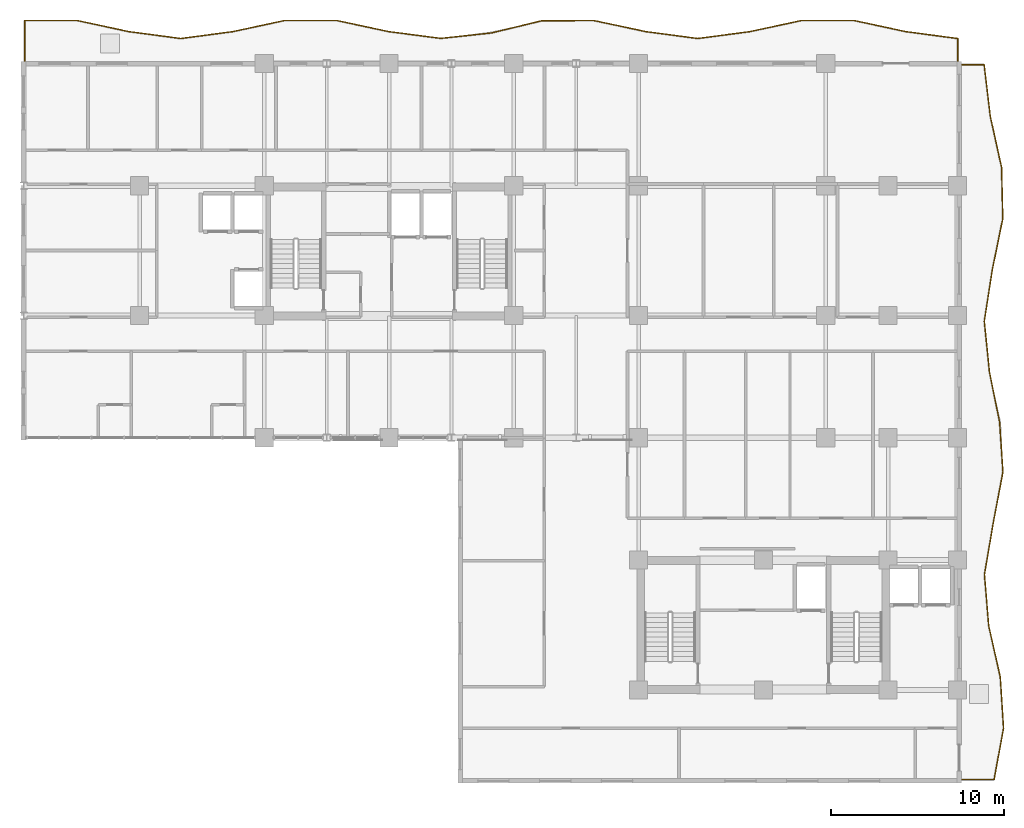
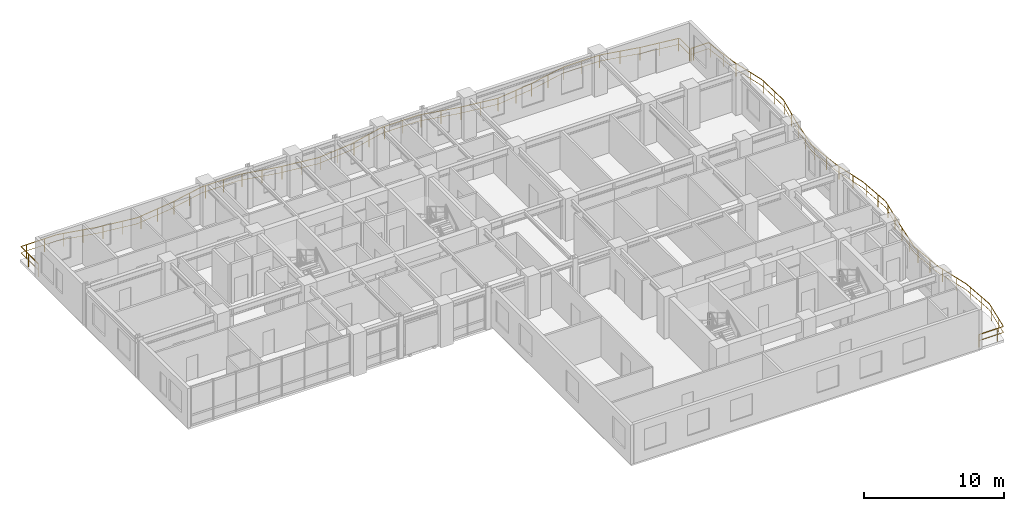
# One storey, part 17 of 17: 2 railings.
"""IFC4 building model written with IfcOpenShell, lengths in metres."""

from ifc_helpers import new_model, si_unit, direction, frame, origin, origin_2d, place, context, subcontext, project, spatial, rectangle, extrude, material, type_object, element, save


model = new_model("IFC4")

# Units and contexts
model_context = context("Model", 3, precision=1e-05, world=origin(), true_north=direction((0.0, 1.0)))
body_context = subcontext(model_context, "Body", "Model", "MODEL_VIEW")
ifc_project = project(units=[si_unit("LENGTHUNIT", "METRE"), si_unit("AREAUNIT", "SQUARE_METRE"), si_unit("VOLUMEUNIT", "CUBIC_METRE"), si_unit("PLANEANGLEUNIT", "RADIAN"), si_unit("MASSUNIT", "GRAM", prefix="KILO")], contexts=[model_context])

# Site, building, storey
site_placement = place(None, origin())
site = spatial("IfcSite", under=ifc_project, at=site_placement, CompositionType="ELEMENT")
building_placement = place(site_placement, origin())
building = spatial("IfcBuilding", under=site, at=building_placement, Name="Kaliganga Portal Commons", CompositionType="ELEMENT")
storey_placement = place(building_placement, frame((0.0, 0.0, 143.89990234375)))
storey = spatial("IfcBuildingStorey", under=building, at=storey_placement, Name="L36", CompositionType="ELEMENT", Elevation=143.89990234375)

# Railings
ifc_material = material(Name="Laminated Safety Glass and Stainless Steel 316", Category="steel")
railing_type = type_object("IfcRailingType", Name="RLG-BAL-1150", PredefinedType="BALUSTRADE", material=ifc_material)
railing_1_placement = place(storey_placement, frame((54.420166015625, 43.205322265625, 0.0)))
element("IfcRailing", 1, at=railing_1_placement, inside=storey, type_object=railing_type, Name="Balcony Guardrail L36 balc_north", PredefinedType="BALUSTRADE", context=body_context, shape_type="SweptSolid", body=[
    extrude(rectangle(XDim=0.048095703125, YDim=0.048095703125, at=origin_2d()), frame((0.0, 0.0, 1.1259765625), z_axis=(-0.000169692853, 0.999999985602, 0.0), x_axis=(-0.999999985602, -0.000169692853, 0.0)), (0.0, 0.0, 1.0), 1.438720703125),
    extrude(rectangle(XDim=0.028076171875, YDim=0.028076171875, at=origin_2d()), frame((0.0, 0.0, 0.597900390625), z_axis=(-0.000169692853, 0.999999985602, 0.0), x_axis=(-0.999999985602, -0.000169692853, 0.0)), (0.0, 0.0, 1.0), 1.438720703125),
    extrude(rectangle(XDim=0.048095703125, YDim=0.048095703125, at=origin_2d()), frame((-0.000244140625, 1.438720703125, 1.1259765625), z_axis=(-0.99128487682, 0.131735693672, 0.0), x_axis=(-0.131735693672, -0.99128487682, 0.0)), (0.0, 0.0, 1.0), 3.0263671875),
    extrude(rectangle(XDim=0.028076171875, YDim=0.028076171875, at=origin_2d()), frame((-0.000244140625, 1.438720703125, 0.597900390625), z_axis=(-0.99128487682, 0.131735693672, 0.0), x_axis=(-0.131735693672, -0.99128487682, 0.0)), (0.0, 0.0, 1.0), 3.0263671875),
    extrude(rectangle(XDim=0.048095703125, YDim=0.048095703125, at=origin_2d()), frame((-3.000244140625, 1.83740234375, 1.1259765625), z_axis=(-0.977706833375, 0.209974636497, 0.0), x_axis=(-0.209974636497, -0.977706833375, 0.0)), (0.0, 0.0, 1.0), 3.068359375),
    extrude(rectangle(XDim=0.028076171875, YDim=0.028076171875, at=origin_2d()), frame((-3.000244140625, 1.83740234375, 0.597900390625), z_axis=(-0.977706833375, 0.209974636497, 0.0), x_axis=(-0.209974636497, -0.977706833375, 0.0)), (0.0, 0.0, 1.0), 3.068359375),
    extrude(rectangle(XDim=0.048095703125, YDim=0.048095703125, at=origin_2d()), frame((-6.000244140625, 2.481689453125, 1.1259765625), z_axis=(-0.999999986752, -0.000162773661, 0.0), x_axis=(0.000162773661, -0.999999986752, 0.0)), (0.0, 0.0, 1.0), 2.999755859375),
    extrude(rectangle(XDim=0.028076171875, YDim=0.028076171875, at=origin_2d()), frame((-6.000244140625, 2.481689453125, 0.597900390625), z_axis=(-0.999999986752, -0.000162773661, 0.0), x_axis=(0.000162773661, -0.999999986752, 0.0)), (0.0, 0.0, 1.0), 2.999755859375),
    extrude(rectangle(XDim=0.048095703125, YDim=0.048095703125, at=origin_2d()), frame((-9.0, 2.481201171875, 1.1259765625), z_axis=(-0.977742994053, -0.209806190521, 0.0), x_axis=(0.209806190521, -0.977742994053, 0.0)), (0.0, 0.0, 1.0), 3.068603515625),
    extrude(rectangle(XDim=0.028076171875, YDim=0.028076171875, at=origin_2d()), frame((-9.0, 2.481201171875, 0.597900390625), z_axis=(-0.977742994053, -0.209806190521, 0.0), x_axis=(0.209806190521, -0.977742994053, 0.0)), (0.0, 0.0, 1.0), 3.068603515625),
    extrude(rectangle(XDim=0.048095703125, YDim=0.048095703125, at=origin_2d()), frame((-12.000244140625, 1.83740234375, 1.1259765625), z_axis=(-0.991347974495, -0.131260022339, 0.0), x_axis=(0.131260022339, -0.991347974495, 0.0)), (0.0, 0.0, 1.0), 3.026123046875),
    extrude(rectangle(XDim=0.028076171875, YDim=0.028076171875, at=origin_2d()), frame((-12.000244140625, 1.83740234375, 0.597900390625), z_axis=(-0.991347974495, -0.131260022339, 0.0), x_axis=(0.131260022339, -0.991347974495, 0.0)), (0.0, 0.0, 1.0), 3.026123046875),
    extrude(rectangle(XDim=0.048095703125, YDim=0.048095703125, at=origin_2d()), frame((-15.000244140625, 1.440185546875, 1.1259765625), z_axis=(-0.991347974495, 0.131260022339, 0.0), x_axis=(-0.131260022339, -0.991347974495, 0.0)), (0.0, 0.0, 1.0), 3.026123046875),
    extrude(rectangle(XDim=0.028076171875, YDim=0.028076171875, at=origin_2d()), frame((-15.000244140625, 1.440185546875, 0.597900390625), z_axis=(-0.991347974495, 0.131260022339, 0.0), x_axis=(-0.131260022339, -0.991347974495, 0.0)), (0.0, 0.0, 1.0), 3.026123046875),
    extrude(rectangle(XDim=0.048095703125, YDim=0.048095703125, at=origin_2d()), frame((-18.000244140625, 1.83740234375, 1.1259765625), z_axis=(-0.978106618555, 0.208104403459, 0.0), x_axis=(-0.208104403459, -0.978106618555, 0.0)), (0.0, 0.0, 1.0), 3.066650390625),
    extrude(rectangle(XDim=0.028076171875, YDim=0.028076171875, at=origin_2d()), frame((-18.000244140625, 1.83740234375, 0.597900390625), z_axis=(-0.978106618555, 0.208104403459, 0.0), x_axis=(-0.208104403459, -0.978106618555, 0.0)), (0.0, 0.0, 1.0), 3.066650390625),
    extrude(rectangle(XDim=0.048095703125, YDim=0.048095703125, at=origin_2d()), frame((-20.999755859375, 2.4755859375, 1.1259765625), z_axis=(-0.999996168338, -0.002768268175, 0.0), x_axis=(0.002768268175, -0.999996168338, 0.0)), (0.0, 0.0, 1.0), 2.99853515625),
    extrude(rectangle(XDim=0.028076171875, YDim=0.028076171875, at=origin_2d()), frame((-20.999755859375, 2.4755859375, 0.597900390625), z_axis=(-0.999996168338, -0.002768268175, 0.0), x_axis=(0.002768268175, -0.999996168338, 0.0)), (0.0, 0.0, 1.0), 2.99853515625),
    extrude(rectangle(XDim=0.048095703125, YDim=0.048095703125, at=origin_2d()), frame((-23.998291015625, 2.46728515625, 1.1259765625), z_axis=(-0.971726032894, -0.236111238608, 0.0), x_axis=(0.236111238608, -0.971726032894, 0.0)), (0.0, 0.0, 1.0), 3.0068359375),
    extrude(rectangle(XDim=0.028076171875, YDim=0.028076171875, at=origin_2d()), frame((-23.998291015625, 2.46728515625, 0.597900390625), z_axis=(-0.971726032894, -0.236111238608, 0.0), x_axis=(0.236111238608, -0.971726032894, 0.0)), (0.0, 0.0, 1.0), 3.0068359375),
    extrude(rectangle(XDim=0.048095703125, YDim=0.048095703125, at=origin_2d()), frame((-26.920166015625, 1.75732421875, 1.1259765625), z_axis=(-0.994438293084, -0.105320849063, 0.0), x_axis=(0.105320849063, -0.994438293084, 0.0)), (0.0, 0.0, 1.0), 2.93701171875),
    extrude(rectangle(XDim=0.028076171875, YDim=0.028076171875, at=origin_2d()), frame((-26.920166015625, 1.75732421875, 0.597900390625), z_axis=(-0.994438293084, -0.105320849063, 0.0), x_axis=(0.105320849063, -0.994438293084, 0.0)), (0.0, 0.0, 1.0), 2.93701171875),
    extrude(rectangle(XDim=0.048095703125, YDim=0.048095703125, at=origin_2d()), frame((-29.8408203125, 1.447998046875, 1.1259765625), z_axis=(-0.991687062692, 0.128673111757, 0.0), x_axis=(-0.128673111757, -0.991687062692, 0.0)), (0.0, 0.0, 1.0), 3.0244140625),
    extrude(rectangle(XDim=0.028076171875, YDim=0.028076171875, at=origin_2d()), frame((-29.8408203125, 1.447998046875, 0.597900390625), z_axis=(-0.991687062692, 0.128673111757, 0.0), x_axis=(-0.128673111757, -0.991687062692, 0.0)), (0.0, 0.0, 1.0), 3.0244140625),
    extrude(rectangle(XDim=0.048095703125, YDim=0.048095703125, at=origin_2d()), frame((-32.840087890625, 1.837158203125, 1.1259765625), z_axis=(-0.977922201683, 0.208969297878, 0.0), x_axis=(-0.208969297878, -0.977922201683, 0.0)), (0.0, 0.0, 1.0), 3.06787109375),
    extrude(rectangle(XDim=0.028076171875, YDim=0.028076171875, at=origin_2d()), frame((-32.840087890625, 1.837158203125, 0.597900390625), z_axis=(-0.977922201683, 0.208969297878, 0.0), x_axis=(-0.208969297878, -0.977922201683, 0.0)), (0.0, 0.0, 1.0), 3.06787109375),
    extrude(rectangle(XDim=0.048095703125, YDim=0.048095703125, at=origin_2d()), frame((-35.84033203125, 2.478271484375, 1.1259765625), z_axis=(-0.999999837743, 0.000569661366, 0.0), x_axis=(-0.000569661366, -0.999999837743, 0.0)), (0.0, 0.0, 1.0), 3.0),
    extrude(rectangle(XDim=0.028076171875, YDim=0.028076171875, at=origin_2d()), frame((-35.84033203125, 2.478271484375, 0.597900390625), z_axis=(-0.999999837743, 0.000569661366, 0.0), x_axis=(-0.000569661366, -0.999999837743, 0.0)), (0.0, 0.0, 1.0), 3.0),
    extrude(rectangle(XDim=0.048095703125, YDim=0.048095703125, at=origin_2d()), frame((-38.84033203125, 2.47998046875, 1.1259765625), z_axis=(-0.977817551415, -0.209458435364, 0.0), x_axis=(0.209458435364, -0.977817551415, 0.0)), (0.0, 0.0, 1.0), 3.06787109375),
    extrude(rectangle(XDim=0.028076171875, YDim=0.028076171875, at=origin_2d()), frame((-38.84033203125, 2.47998046875, 0.597900390625), z_axis=(-0.977817551415, -0.209458435364, 0.0), x_axis=(0.209458435364, -0.977817551415, 0.0)), (0.0, 0.0, 1.0), 3.06787109375),
    extrude(rectangle(XDim=0.048095703125, YDim=0.048095703125, at=origin_2d()), frame((-41.840087890625, 1.83740234375, 1.1259765625), z_axis=(-0.991316453184, -0.13149786936, 0.0), x_axis=(0.13149786936, -0.991316453184, 0.0)), (0.0, 0.0, 1.0), 3.0263671875),
    extrude(rectangle(XDim=0.028076171875, YDim=0.028076171875, at=origin_2d()), frame((-41.840087890625, 1.83740234375, 0.597900390625), z_axis=(-0.991316453184, -0.13149786936, 0.0), x_axis=(0.13149786936, -0.991316453184, 0.0)), (0.0, 0.0, 1.0), 3.0263671875),
    extrude(rectangle(XDim=0.048095703125, YDim=0.048095703125, at=origin_2d()), frame((-44.840087890625, 1.439453125, 1.1259765625), z_axis=(-0.991316453184, 0.13149786936, 0.0), x_axis=(-0.13149786936, -0.991316453184, 0.0)), (0.0, 0.0, 1.0), 3.0263671875),
    extrude(rectangle(XDim=0.028076171875, YDim=0.028076171875, at=origin_2d()), frame((-44.840087890625, 1.439453125, 0.597900390625), z_axis=(-0.991316453184, 0.13149786936, 0.0), x_axis=(-0.13149786936, -0.991316453184, 0.0)), (0.0, 0.0, 1.0), 3.0263671875),
    extrude(rectangle(XDim=0.048095703125, YDim=0.048095703125, at=origin_2d()), frame((-47.840087890625, 1.83740234375, 1.1259765625), z_axis=(-0.977690496299, 0.210050692564, 0.0), x_axis=(-0.210050692564, -0.977690496299, 0.0)), (0.0, 0.0, 1.0), 3.068359375),
    extrude(rectangle(XDim=0.028076171875, YDim=0.028076171875, at=origin_2d()), frame((-47.840087890625, 1.83740234375, 0.597900390625), z_axis=(-0.977690496299, 0.210050692564, 0.0), x_axis=(-0.210050692564, -0.977690496299, 0.0)), (0.0, 0.0, 1.0), 3.068359375),
    extrude(rectangle(XDim=0.048095703125, YDim=0.048095703125, at=origin_2d()), frame((-50.840087890625, 2.48193359375, 1.1259765625), z_axis=(-0.999999996689, 8.1380208e-05, 0.0), x_axis=(-8.1380208e-05, -0.999999996689, 0.0)), (0.0, 0.0, 1.0), 3.0),
    extrude(rectangle(XDim=0.028076171875, YDim=0.028076171875, at=origin_2d()), frame((-50.840087890625, 2.48193359375, 0.597900390625), z_axis=(-0.999999996689, 8.1380208e-05, 0.0), x_axis=(-8.1380208e-05, -0.999999996689, 0.0)), (0.0, 0.0, 1.0), 3.0),
    extrude(rectangle(XDim=0.048095703125, YDim=0.048095703125, at=origin_2d()), frame((-53.840087890625, 2.482177734375, 1.1259765625), z_axis=(-9.835743e-05, -0.999999995163, 0.0), x_axis=(0.999999995163, -9.835743e-05, 0.0)), (0.0, 0.0, 1.0), 2.482177734375),
    extrude(rectangle(XDim=0.028076171875, YDim=0.028076171875, at=origin_2d()), frame((-53.840087890625, 2.482177734375, 0.597900390625), z_axis=(-9.835743e-05, -0.999999995163, 0.0), x_axis=(0.999999995163, -9.835743e-05, 0.0)), (0.0, 0.0, 1.0), 2.482177734375),
    extrude(rectangle(XDim=0.0419921875, YDim=0.0419921875, at=origin_2d()), origin(), (0.0, 0.0, 1.0), 1.101806640625),
    extrude(rectangle(XDim=0.0419921875, YDim=0.0419921875, at=origin_2d()), frame((-0.06103515625, 1.44677734375, 0.0)), (0.0, 0.0, 1.0), 1.101806640625),
    extrude(rectangle(XDim=0.0419921875, YDim=0.0419921875, at=origin_2d()), frame((-1.5478515625, 1.644287109375, 0.0)), (0.0, 0.0, 1.0), 1.101806640625),
    extrude(rectangle(XDim=0.0419921875, YDim=0.0419921875, at=origin_2d()), frame((-3.034423828125, 1.8447265625, 0.0)), (0.0, 0.0, 1.0), 1.101806640625),
    extrude(rectangle(XDim=0.0419921875, YDim=0.0419921875, at=origin_2d()), frame((-4.5009765625, 2.15966796875, 0.0)), (0.0, 0.0, 1.0), 1.101806640625),
    extrude(rectangle(XDim=0.0419921875, YDim=0.0419921875, at=origin_2d()), frame((-6.000244140625, 2.481689453125, 0.0)), (0.0, 0.0, 1.0), 1.101806640625),
    extrude(rectangle(XDim=0.0419921875, YDim=0.0419921875, at=origin_2d()), frame((-7.466796875, 2.4814453125, 0.0)), (0.0, 0.0, 1.0), 1.101806640625),
    extrude(rectangle(XDim=0.0419921875, YDim=0.0419921875, at=origin_2d()), frame((-9.0, 2.481201171875, 0.0)), (0.0, 0.0, 1.0), 1.101806640625),
    extrude(rectangle(XDim=0.0419921875, YDim=0.0419921875, at=origin_2d()), frame((-10.43408203125, 2.173583984375, 0.0)), (0.0, 0.0, 1.0), 1.101806640625),
    extrude(rectangle(XDim=0.0419921875, YDim=0.0419921875, at=origin_2d()), frame((-12.000244140625, 1.83740234375, 0.0)), (0.0, 0.0, 1.0), 1.101806640625),
    extrude(rectangle(XDim=0.0419921875, YDim=0.0419921875, at=origin_2d()), frame((-13.38623046875, 1.65380859375, 0.0)), (0.0, 0.0, 1.0), 1.101806640625),
    extrude(rectangle(XDim=0.0419921875, YDim=0.0419921875, at=origin_2d()), frame((-15.000244140625, 1.440185546875, 0.0)), (0.0, 0.0, 1.0), 1.101806640625),
    extrude(rectangle(XDim=0.0419921875, YDim=0.0419921875, at=origin_2d()), frame((-16.3603515625, 1.620361328125, 0.0)), (0.0, 0.0, 1.0), 1.101806640625),
    extrude(rectangle(XDim=0.0419921875, YDim=0.0419921875, at=origin_2d()), frame((-17.847412109375, 1.817138671875, 0.0)), (0.0, 0.0, 1.0), 1.101806640625),
    extrude(rectangle(XDim=0.0419921875, YDim=0.0419921875, at=origin_2d()), frame((-19.316650390625, 2.117431640625, 0.0)), (0.0, 0.0, 1.0), 1.101806640625),
    extrude(rectangle(XDim=0.0419921875, YDim=0.0419921875, at=origin_2d()), frame((-20.78369140625, 2.4296875, 0.0)), (0.0, 0.0, 1.0), 1.101806640625),
    extrude(rectangle(XDim=0.0419921875, YDim=0.0419921875, at=origin_2d()), frame((-22.279052734375, 2.471923828125, 0.0)), (0.0, 0.0, 1.0), 1.101806640625),
    extrude(rectangle(XDim=0.0419921875, YDim=0.0419921875, at=origin_2d()), frame((-23.779052734375, 2.4677734375, 0.0)), (0.0, 0.0, 1.0), 1.101806640625),
    extrude(rectangle(XDim=0.0419921875, YDim=0.0419921875, at=origin_2d()), frame((-25.24267578125, 2.164794921875, 0.0)), (0.0, 0.0, 1.0), 1.101806640625),
    extrude(rectangle(XDim=0.0419921875, YDim=0.0419921875, at=origin_2d()), frame((-26.7001953125, 1.810791015625, 0.0)), (0.0, 0.0, 1.0), 1.101806640625),
    extrude(rectangle(XDim=0.0419921875, YDim=0.0419921875, at=origin_2d()), frame((-28.186767578125, 1.623291015625, 0.0)), (0.0, 0.0, 1.0), 1.101806640625),
    extrude(rectangle(XDim=0.0419921875, YDim=0.0419921875, at=origin_2d()), frame((-29.678466796875, 1.465087890625, 0.0)), (0.0, 0.0, 1.0), 1.101806640625),
    extrude(rectangle(XDim=0.0419921875, YDim=0.0419921875, at=origin_2d()), frame((-31.16650390625, 1.6201171875, 0.0)), (0.0, 0.0, 1.0), 1.101806640625),
    extrude(rectangle(XDim=0.0419921875, YDim=0.0419921875, at=origin_2d()), frame((-32.654052734375, 1.81298828125, 0.0)), (0.0, 0.0, 1.0), 1.101806640625),
    extrude(rectangle(XDim=0.0419921875, YDim=0.0419921875, at=origin_2d()), frame((-34.12353515625, 2.111328125, 0.0)), (0.0, 0.0, 1.0), 1.101806640625),
    extrude(rectangle(XDim=0.0419921875, YDim=0.0419921875, at=origin_2d()), frame((-35.59033203125, 2.4248046875, 0.0)), (0.0, 0.0, 1.0), 1.101806640625),
    extrude(rectangle(XDim=0.0419921875, YDim=0.0419921875, at=origin_2d()), frame((-37.084716796875, 2.47900390625, 0.0)), (0.0, 0.0, 1.0), 1.101806640625),
    extrude(rectangle(XDim=0.0419921875, YDim=0.0419921875, at=origin_2d()), frame((-38.584716796875, 2.479736328125, 0.0)), (0.0, 0.0, 1.0), 1.101806640625),
    extrude(rectangle(XDim=0.0419921875, YDim=0.0419921875, at=origin_2d()), frame((-40.05712890625, 2.21923828125, 0.0)), (0.0, 0.0, 1.0), 1.101806640625),
    extrude(rectangle(XDim=0.0419921875, YDim=0.0419921875, at=origin_2d()), frame((-41.52392578125, 1.905029296875, 0.0)), (0.0, 0.0, 1.0), 1.101806640625),
    extrude(rectangle(XDim=0.0419921875, YDim=0.0419921875, at=origin_2d()), frame((-43.00634765625, 1.6826171875, 0.0)), (0.0, 0.0, 1.0), 1.101806640625),
    extrude(rectangle(XDim=0.0419921875, YDim=0.0419921875, at=origin_2d()), frame((-44.493408203125, 1.4853515625, 0.0)), (0.0, 0.0, 1.0), 1.101806640625),
    extrude(rectangle(XDim=0.0419921875, YDim=0.0419921875, at=origin_2d()), frame((-45.98046875, 1.5908203125, 0.0)), (0.0, 0.0, 1.0), 1.101806640625),
    extrude(rectangle(XDim=0.0419921875, YDim=0.0419921875, at=origin_2d()), frame((-47.46728515625, 1.787841796875, 0.0)), (0.0, 0.0, 1.0), 1.101806640625),
    extrude(rectangle(XDim=0.0419921875, YDim=0.0419921875, at=origin_2d()), frame((-48.93896484375, 2.073486328125, 0.0)), (0.0, 0.0, 1.0), 1.101806640625),
    extrude(rectangle(XDim=0.0419921875, YDim=0.0419921875, at=origin_2d()), frame((-50.405517578125, 2.388671875, 0.0)), (0.0, 0.0, 1.0), 1.101806640625),
    extrude(rectangle(XDim=0.0419921875, YDim=0.0419921875, at=origin_2d()), frame((-51.895751953125, 2.48193359375, 0.0)), (0.0, 0.0, 1.0), 1.101806640625),
    extrude(rectangle(XDim=0.0419921875, YDim=0.0419921875, at=origin_2d()), frame((-53.395751953125, 2.482177734375, 0.0)), (0.0, 0.0, 1.0), 1.101806640625),
    extrude(rectangle(XDim=0.0419921875, YDim=0.0419921875, at=origin_2d()), frame((-53.840087890625, 1.426513671875, 0.0)), (0.0, 0.0, 1.0), 1.101806640625),
    extrude(rectangle(XDim=0.0419921875, YDim=0.0419921875, at=origin_2d()), frame((-53.84033203125, 0.0, 0.0)), (0.0, 0.0, 1.0), 1.101806640625),
])
railing_2_placement = place(storey_placement, frame((54.5068359375, 1.879638671875, 0.0)))
element("IfcRailing", 2, at=railing_2_placement, inside=storey, type_object=railing_type, Name="Balcony Guardrail L36 balc_east", PredefinedType="BALUSTRADE", context=body_context, shape_type="SweptSolid", body=[
    extrude(rectangle(XDim=0.048095703125, YDim=0.048095703125, at=origin_2d()), frame((0.0, 0.0, 1.1259765625), z_axis=(0.99999999265, 0.000121241512, 0.0), x_axis=(-0.000121241512, 0.99999999265, 0.0)), (0.0, 0.0, 1.0), 2.013671875),
    extrude(rectangle(XDim=0.028076171875, YDim=0.028076171875, at=origin_2d()), frame((0.0, 0.0, 0.597900390625), z_axis=(0.99999999265, 0.000121241512, 0.0), x_axis=(-0.000121241512, 0.99999999265, 0.0)), (0.0, 0.0, 1.0), 2.013671875),
    extrude(rectangle(XDim=0.048095703125, YDim=0.048095703125, at=origin_2d()), frame((2.013671875, 0.000244140625, 1.1259765625), z_axis=(0.181071495667, 0.983469935208, 0.0), x_axis=(-0.983469935208, 0.181071495667, 0.0)), (0.0, 0.0, 1.0), 3.0068359375),
    extrude(rectangle(XDim=0.028076171875, YDim=0.028076171875, at=origin_2d()), frame((2.013671875, 0.000244140625, 0.597900390625), z_axis=(0.181071495667, 0.983469935208, 0.0), x_axis=(-0.983469935208, 0.181071495667, 0.0)), (0.0, 0.0, 1.0), 3.0068359375),
    extrude(rectangle(XDim=0.048095703125, YDim=0.048095703125, at=origin_2d()), frame((2.55810546875, 2.957275390625, 1.1259765625), z_axis=(-0.064096442294, 0.997943708876, 0.0), x_axis=(-0.997943708876, -0.064096442294, 0.0)), (0.0, 0.0, 1.0), 2.96337890625),
    extrude(rectangle(XDim=0.028076171875, YDim=0.028076171875, at=origin_2d()), frame((2.55810546875, 2.957275390625, 0.597900390625), z_axis=(-0.064096442294, 0.997943708876, 0.0), x_axis=(-0.997943708876, -0.064096442294, 0.0)), (0.0, 0.0, 1.0), 2.96337890625),
    extrude(rectangle(XDim=0.048095703125, YDim=0.048095703125, at=origin_2d()), frame((2.3681640625, 5.91455078125, 1.1259765625), z_axis=(-0.220092788407, 0.97547894108, 0.0), x_axis=(-0.97547894108, -0.220092788407, 0.0)), (0.0, 0.0, 1.0), 3.031494140625),
    extrude(rectangle(XDim=0.028076171875, YDim=0.028076171875, at=origin_2d()), frame((2.3681640625, 5.91455078125, 0.597900390625), z_axis=(-0.220092788407, 0.97547894108, 0.0), x_axis=(-0.97547894108, -0.220092788407, 0.0)), (0.0, 0.0, 1.0), 3.031494140625),
    extrude(rectangle(XDim=0.048095703125, YDim=0.048095703125, at=origin_2d()), frame((1.700927734375, 8.871826171875, 1.1259765625), z_axis=(-0.082527948874, 0.996588750516, 0.0), x_axis=(-0.996588750516, -0.082527948874, 0.0)), (0.0, 0.0, 1.0), 2.967041015625),
    extrude(rectangle(XDim=0.028076171875, YDim=0.028076171875, at=origin_2d()), frame((1.700927734375, 8.871826171875, 0.597900390625), z_axis=(-0.082527948874, 0.996588750516, 0.0), x_axis=(-0.996588750516, -0.082527948874, 0.0)), (0.0, 0.0, 1.0), 2.967041015625),
    extrude(rectangle(XDim=0.048095703125, YDim=0.048095703125, at=origin_2d()), frame((1.4560546875, 11.828857421875, 1.1259765625), z_axis=(0.168132523146, 0.985764401194, 0.0), x_axis=(-0.985764401194, 0.168132523146, 0.0)), (0.0, 0.0, 1.0), 3.0),
    extrude(rectangle(XDim=0.028076171875, YDim=0.028076171875, at=origin_2d()), frame((1.4560546875, 11.828857421875, 0.597900390625), z_axis=(0.168132523146, 0.985764401194, 0.0), x_axis=(-0.985764401194, 0.168132523146, 0.0)), (0.0, 0.0, 1.0), 3.0),
    extrude(rectangle(XDim=0.048095703125, YDim=0.048095703125, at=origin_2d()), frame((1.96044921875, 14.7861328125, 1.1259765625), z_axis=(0.186865911228, 0.982385429056, 0.0), x_axis=(-0.982385429056, 0.186865911228, 0.0)), (0.0, 0.0, 1.0), 3.007568359375),
    extrude(rectangle(XDim=0.028076171875, YDim=0.028076171875, at=origin_2d()), frame((1.96044921875, 14.7861328125, 0.597900390625), z_axis=(0.186865911228, 0.982385429056, 0.0), x_axis=(-0.982385429056, 0.186865911228, 0.0)), (0.0, 0.0, 1.0), 3.007568359375),
    extrude(rectangle(XDim=0.048095703125, YDim=0.048095703125, at=origin_2d()), frame((2.5224609375, 17.74072265625, 1.1259765625), z_axis=(-0.066490937245, 0.997787029012, 0.0), x_axis=(-0.997787029012, -0.066490937245, 0.0)), (0.0, 0.0, 1.0), 2.885986328125),
    extrude(rectangle(XDim=0.028076171875, YDim=0.028076171875, at=origin_2d()), frame((2.5224609375, 17.74072265625, 0.597900390625), z_axis=(-0.066490937245, 0.997787029012, 0.0), x_axis=(-0.997787029012, -0.066490937245, 0.0)), (0.0, 0.0, 1.0), 2.885986328125),
    extrude(rectangle(XDim=0.048095703125, YDim=0.048095703125, at=origin_2d()), frame((2.33056640625, 20.620361328125, 1.1259765625), z_axis=(-0.199073650247, 0.979984531397, 0.0), x_axis=(-0.979984531397, -0.199073650247, 0.0)), (0.0, 0.0, 1.0), 2.93603515625),
    extrude(rectangle(XDim=0.028076171875, YDim=0.028076171875, at=origin_2d()), frame((2.33056640625, 20.620361328125, 0.597900390625), z_axis=(-0.199073650247, 0.979984531397, 0.0), x_axis=(-0.979984531397, -0.199073650247, 0.0)), (0.0, 0.0, 1.0), 2.93603515625),
    extrude(rectangle(XDim=0.048095703125, YDim=0.048095703125, at=origin_2d()), frame((1.74609375, 23.49755859375, 1.1259765625), z_axis=(-0.100536485393, 0.994933372194, 0.0), x_axis=(-0.994933372194, -0.100536485393, 0.0)), (0.0, 0.0, 1.0), 2.972412109375),
    extrude(rectangle(XDim=0.028076171875, YDim=0.028076171875, at=origin_2d()), frame((1.74609375, 23.49755859375, 0.597900390625), z_axis=(-0.100536485393, 0.994933372194, 0.0), x_axis=(-0.994933372194, -0.100536485393, 0.0)), (0.0, 0.0, 1.0), 2.972412109375),
    extrude(rectangle(XDim=0.048095703125, YDim=0.048095703125, at=origin_2d()), frame((1.447265625, 26.454833984375, 1.1259765625), z_axis=(0.154655563067, 0.9879684493, 0.0), x_axis=(-0.9879684493, 0.154655563067, 0.0)), (0.0, 0.0, 1.0), 2.9931640625),
    extrude(rectangle(XDim=0.028076171875, YDim=0.028076171875, at=origin_2d()), frame((1.447265625, 26.454833984375, 0.597900390625), z_axis=(0.154655563067, 0.9879684493, 0.0), x_axis=(-0.9879684493, 0.154655563067, 0.0)), (0.0, 0.0, 1.0), 2.9931640625),
    extrude(rectangle(XDim=0.048095703125, YDim=0.048095703125, at=origin_2d()), frame((1.91015625, 29.411865234375, 1.1259765625), z_axis=(0.200112143966, 0.979772999137, 0.0), x_axis=(-0.979772999137, 0.200112143966, 0.0)), (0.0, 0.0, 1.0), 3.018310546875),
    extrude(rectangle(XDim=0.028076171875, YDim=0.028076171875, at=origin_2d()), frame((1.91015625, 29.411865234375, 0.597900390625), z_axis=(0.200112143966, 0.979772999137, 0.0), x_axis=(-0.979772999137, 0.200112143966, 0.0)), (0.0, 0.0, 1.0), 3.018310546875),
    extrude(rectangle(XDim=0.048095703125, YDim=0.048095703125, at=origin_2d()), frame((2.51416015625, 32.369140625, 1.1259765625), z_axis=(-0.023936336741, 0.999713484846, 0.0), x_axis=(-0.999713484846, -0.023936336741, 0.0)), (0.0, 0.0, 1.0), 2.957763671875),
    extrude(rectangle(XDim=0.028076171875, YDim=0.028076171875, at=origin_2d()), frame((2.51416015625, 32.369140625, 0.597900390625), z_axis=(-0.023936336741, 0.999713484846, 0.0), x_axis=(-0.999713484846, -0.023936336741, 0.0)), (0.0, 0.0, 1.0), 2.957763671875),
    extrude(rectangle(XDim=0.048095703125, YDim=0.048095703125, at=origin_2d()), frame((2.443359375, 35.326171875, 1.1259765625), z_axis=(-0.215120184134, 0.976587582544, 0.0), x_axis=(-0.976587582544, -0.215120184134, 0.0)), (0.0, 0.0, 1.0), 3.02783203125),
    extrude(rectangle(XDim=0.028076171875, YDim=0.028076171875, at=origin_2d()), frame((2.443359375, 35.326171875, 0.597900390625), z_axis=(-0.215120184134, 0.976587582544, 0.0), x_axis=(-0.976587582544, -0.215120184134, 0.0)), (0.0, 0.0, 1.0), 3.02783203125),
    extrude(rectangle(XDim=0.048095703125, YDim=0.048095703125, at=origin_2d()), frame((1.7919921875, 38.283203125, 1.1259765625), z_axis=(-0.118695912213, 0.992930652374, 0.0), x_axis=(-0.992930652374, -0.118695912213, 0.0)), (0.0, 0.0, 1.0), 2.978271484375),
    extrude(rectangle(XDim=0.028076171875, YDim=0.028076171875, at=origin_2d()), frame((1.7919921875, 38.283203125, 0.597900390625), z_axis=(-0.118695912213, 0.992930652374, 0.0), x_axis=(-0.992930652374, -0.118695912213, 0.0)), (0.0, 0.0, 1.0), 2.978271484375),
    extrude(rectangle(XDim=0.048095703125, YDim=0.048095703125, at=origin_2d()), frame((1.4384765625, 41.240478515625, 1.1259765625), z_axis=(-0.999999985597, 0.000169721654, 0.0), x_axis=(-0.000169721654, -0.999999985597, 0.0)), (0.0, 0.0, 1.0), 1.4384765625),
    extrude(rectangle(XDim=0.028076171875, YDim=0.028076171875, at=origin_2d()), frame((1.4384765625, 41.240478515625, 0.597900390625), z_axis=(-0.999999985597, 0.000169721654, 0.0), x_axis=(-0.000169721654, -0.999999985597, 0.0)), (0.0, 0.0, 1.0), 1.4384765625),
    extrude(rectangle(XDim=0.0419921875, YDim=0.0419921875, at=origin_2d()), origin(), (0.0, 0.0, 1.0), 1.101806640625),
    extrude(rectangle(XDim=0.0419921875, YDim=0.0419921875, at=origin_2d()), frame((1.5, 0.000244140625, 0.0)), (0.0, 0.0, 1.0), 1.101806640625),
    extrude(rectangle(XDim=0.0419921875, YDim=0.0419921875, at=origin_2d()), frame((2.1923828125, 0.97021484375, 0.0)), (0.0, 0.0, 1.0), 1.101806640625),
    extrude(rectangle(XDim=0.0419921875, YDim=0.0419921875, at=origin_2d()), frame((2.4638671875, 2.445556640625, 0.0)), (0.0, 0.0, 1.0), 1.101806640625),
    extrude(rectangle(XDim=0.0419921875, YDim=0.0419921875, at=origin_2d()), frame((2.495361328125, 3.934814453125, 0.0)), (0.0, 0.0, 1.0), 1.101806640625),
    extrude(rectangle(XDim=0.0419921875, YDim=0.0419921875, at=origin_2d()), frame((2.399169921875, 5.431884765625, 0.0)), (0.0, 0.0, 1.0), 1.101806640625),
    extrude(rectangle(XDim=0.0419921875, YDim=0.0419921875, at=origin_2d()), frame((2.14453125, 6.90576171875, 0.0)), (0.0, 0.0, 1.0), 1.101806640625),
    extrude(rectangle(XDim=0.0419921875, YDim=0.0419921875, at=origin_2d()), frame((1.814453125, 8.369140625, 0.0)), (0.0, 0.0, 1.0), 1.101806640625),
    extrude(rectangle(XDim=0.0419921875, YDim=0.0419921875, at=origin_2d()), frame((1.61962890625, 9.85302734375, 0.0)), (0.0, 0.0, 1.0), 1.101806640625),
    extrude(rectangle(XDim=0.0419921875, YDim=0.0419921875, at=origin_2d()), frame((1.495849609375, 11.347900390625, 0.0)), (0.0, 0.0, 1.0), 1.101806640625),
    extrude(rectangle(XDim=0.0419921875, YDim=0.0419921875, at=origin_2d()), frame((1.627197265625, 12.831787109375, 0.0)), (0.0, 0.0, 1.0), 1.101806640625),
    extrude(rectangle(XDim=0.0419921875, YDim=0.0419921875, at=origin_2d()), frame((1.87939453125, 14.310546875, 0.0)), (0.0, 0.0, 1.0), 1.101806640625),
    extrude(rectangle(XDim=0.0419921875, YDim=0.0419921875, at=origin_2d()), frame((2.150634765625, 15.78564453125, 0.0)), (0.0, 0.0, 1.0), 1.101806640625),
    extrude(rectangle(XDim=0.0419921875, YDim=0.0419921875, at=origin_2d()), frame((2.430908203125, 17.25927734375, 0.0)), (0.0, 0.0, 1.0), 1.101806640625),
    extrude(rectangle(XDim=0.0419921875, YDim=0.0419921875, at=origin_2d()), frame((2.455322265625, 18.748291015625, 0.0)), (0.0, 0.0, 1.0), 1.101806640625),
    extrude(rectangle(XDim=0.0419921875, YDim=0.0419921875, at=origin_2d()), frame((2.35546875, 20.2451171875, 0.0)), (0.0, 0.0, 1.0), 1.101806640625),
    extrude(rectangle(XDim=0.0419921875, YDim=0.0419921875, at=origin_2d()), frame((2.10693359375, 21.7216796875, 0.0)), (0.0, 0.0, 1.0), 1.101806640625),
    extrude(rectangle(XDim=0.0419921875, YDim=0.0419921875, at=origin_2d()), frame((1.80810546875, 23.191650390625, 0.0)), (0.0, 0.0, 1.0), 1.101806640625),
    extrude(rectangle(XDim=0.0419921875, YDim=0.0419921875, at=origin_2d()), frame((1.626708984375, 24.679443359375, 0.0)), (0.0, 0.0, 1.0), 1.101806640625),
    extrude(rectangle(XDim=0.0419921875, YDim=0.0419921875, at=origin_2d()), frame((1.475830078125, 26.171875, 0.0)), (0.0, 0.0, 1.0), 1.101806640625),
    extrude(rectangle(XDim=0.0419921875, YDim=0.0419921875, at=origin_2d()), frame((1.63525390625, 27.65576171875, 0.0)), (0.0, 0.0, 1.0), 1.101806640625),
    extrude(rectangle(XDim=0.0419921875, YDim=0.0419921875, at=origin_2d()), frame((1.8671875, 29.1376953125, 0.0)), (0.0, 0.0, 1.0), 1.101806640625),
    extrude(rectangle(XDim=0.0419921875, YDim=0.0419921875, at=origin_2d()), frame((2.15478515625, 30.609619140625, 0.0)), (0.0, 0.0, 1.0), 1.101806640625),
    extrude(rectangle(XDim=0.0419921875, YDim=0.0419921875, at=origin_2d()), frame((2.455078125, 32.079345703125, 0.0)), (0.0, 0.0, 1.0), 1.101806640625),
    extrude(rectangle(XDim=0.0419921875, YDim=0.0419921875, at=origin_2d()), frame((2.4853515625, 33.572998046875, 0.0)), (0.0, 0.0, 1.0), 1.101806640625),
    extrude(rectangle(XDim=0.0419921875, YDim=0.0419921875, at=origin_2d()), frame((2.449462890625, 35.072509765625, 0.0)), (0.0, 0.0, 1.0), 1.101806640625),
    extrude(rectangle(XDim=0.0419921875, YDim=0.0419921875, at=origin_2d()), frame((2.17529296875, 36.543212890625, 0.0)), (0.0, 0.0, 1.0), 1.101806640625),
    extrude(rectangle(XDim=0.0419921875, YDim=0.0419921875, at=origin_2d()), frame((1.8525390625, 38.00830078125, 0.0)), (0.0, 0.0, 1.0), 1.101806640625),
    extrude(rectangle(XDim=0.0419921875, YDim=0.0419921875, at=origin_2d()), frame((1.6474609375, 39.492919921875, 0.0)), (0.0, 0.0, 1.0), 1.101806640625),
    extrude(rectangle(XDim=0.0419921875, YDim=0.0419921875, at=origin_2d()), frame((1.46923828125, 40.982421875, 0.0)), (0.0, 0.0, 1.0), 1.101806640625),
    extrude(rectangle(XDim=0.0419921875, YDim=0.0419921875, at=origin_2d()), frame((0.198486328125, 41.24072265625, 0.0)), (0.0, 0.0, 1.0), 1.101806640625),
    extrude(rectangle(XDim=0.0419921875, YDim=0.0419921875, at=origin_2d()), frame((0.0, 41.24072265625, 0.0)), (0.0, 0.0, 1.0), 1.101806640625),
])

save(model, "model.ifc")
